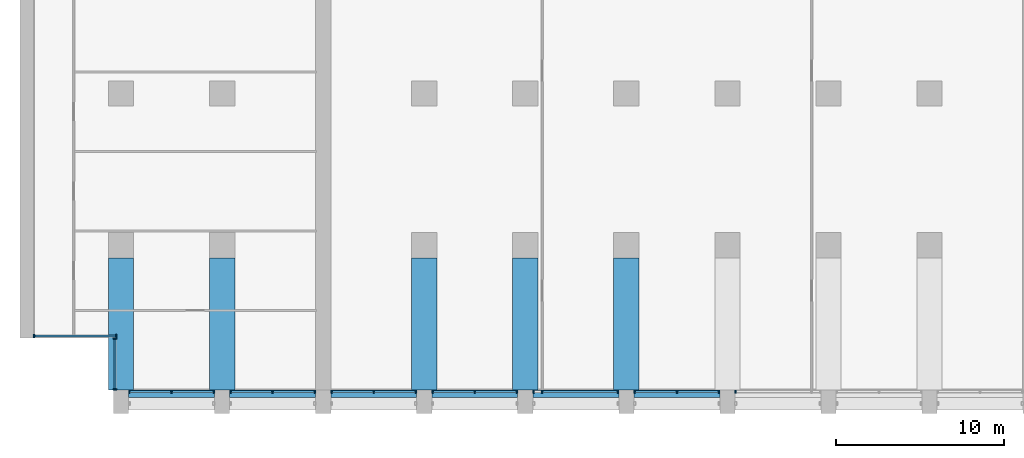
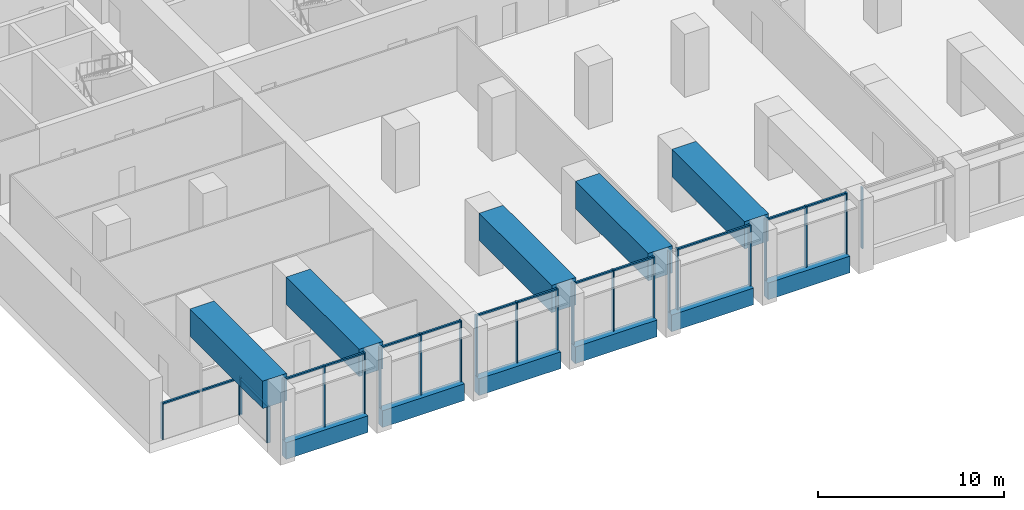
# One storey, part 2 of 18: 36 members, 11 beams, 9 elements without a shape of their own.
"""IFC4 building model written with IfcOpenShell, lengths in metres."""

from ifc_helpers import new_model, si_unit, direction, frame, origin, origin_2d, place, context, subcontext, project, spatial, rectangle, extrude, material, material_profile, profile_set, type_object, element, aggregate, save


model = new_model("IFC4")

# Units and contexts
model_context = context("Model", 3, precision=1e-05, world=origin(), true_north=direction((0.0, 1.0)))
body_context = subcontext(model_context, "Body", "Model", "MODEL_VIEW")
ifc_project = project(units=[si_unit("LENGTHUNIT", "METRE"), si_unit("AREAUNIT", "SQUARE_METRE"), si_unit("VOLUMEUNIT", "CUBIC_METRE"), si_unit("PLANEANGLEUNIT", "RADIAN"), si_unit("MASSUNIT", "GRAM", prefix="KILO")], contexts=[model_context])

# Site, building, storey
site_placement = place(None, origin())
site = spatial("IfcSite", under=ifc_project, at=site_placement, CompositionType="ELEMENT")
building_placement = place(site_placement, origin())
building = spatial("IfcBuilding", under=site, at=building_placement, Name="Calvaro Tower", CompositionType="ELEMENT")
storey_placement = place(building_placement, frame((0.0, 0.0, 90.0)))
storey = spatial("IfcBuildingStorey", under=building, at=storey_placement, Name="L22", CompositionType="ELEMENT", Elevation=90.0)

# Curtain wall, members
ifc_material_1 = material(Name="Anodised aluminium", Category="aluminium")
curtain_wall_type = type_object("IfcCurtainWallType", Name="Louvre wall", PredefinedType="NOTDEFINED", material=ifc_material_1)
curtain_wall_1_placement = place(storey_placement, origin())
curtain_wall_1 = element("IfcCurtainWall", 1, at=curtain_wall_1_placement, inside=storey, type_object=curtain_wall_type, Name="CW8 south louvre wall", PredefinedType="NOTDEFINED")
ifc_material_2 = material(Name="Anodised aluminium", Category="aluminium")
ifc_material_profile_1 = material_profile(ifc_material_2, rectangle(XDim=0.199951171875, YDim=0.080078125, at=origin_2d()), Name="Mullion LV 80 x 200")
ifc_profile_set_1 = profile_set([ifc_material_profile_1], Name="Anodised aluminium")
member_type_1 = type_object("IfcMemberType", Name="Mullion LV 80 x 200", PredefinedType="MULLION", material=ifc_profile_set_1)
member_1_placement = place(storey_placement, frame((6.489990234375, 1.300048828125, 0.0), z_axis=(0.0, 0.0, 1.0), x_axis=(0.0, 1.0, 0.0)))
member_1 = element("IfcMember", 2, at=member_1_placement, type_object=member_type_1, Name="CW8 mullion 1", PredefinedType="MULLION", context=body_context, shape_type="SweptSolid", body=[
    extrude(rectangle(XDim=0.199951171875, YDim=0.080078125, at=origin_2d()), origin(), (0.0, 0.0, 1.0), 4.0),
])
member_2_placement = place(storey_placement, frame((9.0, 1.300048828125, 0.0), z_axis=(0.0, 0.0, 1.0), x_axis=(0.0, 1.0, 0.0)))
member_2 = element("IfcMember", 3, at=member_2_placement, type_object=member_type_1, Name="CW8 mullion 2", PredefinedType="MULLION", context=body_context, shape_type="SweptSolid", body=[
    extrude(rectangle(XDim=0.199951171875, YDim=0.080078125, at=origin_2d()), origin(), (0.0, 0.0, 1.0), 4.0),
])
member_3_placement = place(storey_placement, frame((11.510009765625, 1.300048828125, 0.0), z_axis=(0.0, 0.0, 1.0), x_axis=(0.0, 1.0, 0.0)))
member_3 = element("IfcMember", 4, at=member_3_placement, type_object=member_type_1, Name="CW8 mullion 3", PredefinedType="MULLION", context=body_context, shape_type="SweptSolid", body=[
    extrude(rectangle(XDim=0.199951171875, YDim=0.080078125, at=origin_2d()), origin(), (0.0, 0.0, 1.0), 4.0),
])

curtain_wall_2_placement = place(storey_placement, origin())
curtain_wall_2 = element("IfcCurtainWall", 5, at=curtain_wall_2_placement, inside=storey, type_object=curtain_wall_type, Name="CW8 south louvre wall", PredefinedType="NOTDEFINED")
member_4_placement = place(storey_placement, frame((12.489990234375, 1.300048828125, 0.0), z_axis=(0.0, 0.0, 1.0), x_axis=(0.0, 1.0, 0.0)))
member_4 = element("IfcMember", 6, at=member_4_placement, type_object=member_type_1, Name="CW8 mullion 1", PredefinedType="MULLION", context=body_context, shape_type="SweptSolid", body=[
    extrude(rectangle(XDim=0.199951171875, YDim=0.080078125, at=origin_2d()), origin(), (0.0, 0.0, 1.0), 4.0),
])
member_5_placement = place(storey_placement, frame((15.0, 1.300048828125, 0.0), z_axis=(0.0, 0.0, 1.0), x_axis=(0.0, 1.0, 0.0)))
member_5 = element("IfcMember", 7, at=member_5_placement, type_object=member_type_1, Name="CW8 mullion 2", PredefinedType="MULLION", context=body_context, shape_type="SweptSolid", body=[
    extrude(rectangle(XDim=0.199951171875, YDim=0.080078125, at=origin_2d()), origin(), (0.0, 0.0, 1.0), 4.0),
])
member_6_placement = place(storey_placement, frame((17.510009765625, 1.300048828125, 0.0), z_axis=(0.0, 0.0, 1.0), x_axis=(0.0, 1.0, 0.0)))
member_6 = element("IfcMember", 8, at=member_6_placement, type_object=member_type_1, Name="CW8 mullion 3", PredefinedType="MULLION", context=body_context, shape_type="SweptSolid", body=[
    extrude(rectangle(XDim=0.199951171875, YDim=0.080078125, at=origin_2d()), origin(), (0.0, 0.0, 1.0), 4.0),
])

curtain_wall_3_placement = place(storey_placement, origin())
curtain_wall_3 = element("IfcCurtainWall", 9, at=curtain_wall_3_placement, inside=storey, type_object=curtain_wall_type, Name="CW8 south louvre wall", PredefinedType="NOTDEFINED")
member_7_placement = place(storey_placement, frame((18.489990234375, 1.300048828125, 0.0), z_axis=(0.0, 0.0, 1.0), x_axis=(0.0, 1.0, 0.0)))
member_7 = element("IfcMember", 10, at=member_7_placement, type_object=member_type_1, Name="CW8 mullion 1", PredefinedType="MULLION", context=body_context, shape_type="SweptSolid", body=[
    extrude(rectangle(XDim=0.199951171875, YDim=0.080078125, at=origin_2d()), origin(), (0.0, 0.0, 1.0), 4.0),
])
member_8_placement = place(storey_placement, frame((21.0, 1.300048828125, 0.0), z_axis=(0.0, 0.0, 1.0), x_axis=(0.0, 1.0, 0.0)))
member_8 = element("IfcMember", 11, at=member_8_placement, type_object=member_type_1, Name="CW8 mullion 2", PredefinedType="MULLION", context=body_context, shape_type="SweptSolid", body=[
    extrude(rectangle(XDim=0.199951171875, YDim=0.080078125, at=origin_2d()), origin(), (0.0, 0.0, 1.0), 4.0),
])
member_9_placement = place(storey_placement, frame((23.510009765625, 1.300048828125, 0.0), z_axis=(0.0, 0.0, 1.0), x_axis=(0.0, 1.0, 0.0)))
member_9 = element("IfcMember", 12, at=member_9_placement, type_object=member_type_1, Name="CW8 mullion 3", PredefinedType="MULLION", context=body_context, shape_type="SweptSolid", body=[
    extrude(rectangle(XDim=0.199951171875, YDim=0.080078125, at=origin_2d()), origin(), (0.0, 0.0, 1.0), 4.0),
])

curtain_wall_4_placement = place(storey_placement, origin())
curtain_wall_4 = element("IfcCurtainWall", 13, at=curtain_wall_4_placement, inside=storey, type_object=curtain_wall_type, Name="CW8 south louvre wall", PredefinedType="NOTDEFINED")
member_10_placement = place(storey_placement, frame((24.489990234375, 1.300048828125, 0.0), z_axis=(0.0, 0.0, 1.0), x_axis=(0.0, 1.0, 0.0)))
member_10 = element("IfcMember", 14, at=member_10_placement, type_object=member_type_1, Name="CW8 mullion 1", PredefinedType="MULLION", context=body_context, shape_type="SweptSolid", body=[
    extrude(rectangle(XDim=0.199951171875, YDim=0.080078125, at=origin_2d()), origin(), (0.0, 0.0, 1.0), 4.0),
])
member_11_placement = place(storey_placement, frame((27.0, 1.300048828125, 0.0), z_axis=(0.0, 0.0, 1.0), x_axis=(0.0, 1.0, 0.0)))
member_11 = element("IfcMember", 15, at=member_11_placement, type_object=member_type_1, Name="CW8 mullion 2", PredefinedType="MULLION", context=body_context, shape_type="SweptSolid", body=[
    extrude(rectangle(XDim=0.199951171875, YDim=0.080078125, at=origin_2d()), origin(), (0.0, 0.0, 1.0), 4.0),
])
member_12_placement = place(storey_placement, frame((29.510009765625, 1.300048828125, 0.0), z_axis=(0.0, 0.0, 1.0), x_axis=(0.0, 1.0, 0.0)))
member_12 = element("IfcMember", 16, at=member_12_placement, type_object=member_type_1, Name="CW8 mullion 3", PredefinedType="MULLION", context=body_context, shape_type="SweptSolid", body=[
    extrude(rectangle(XDim=0.199951171875, YDim=0.080078125, at=origin_2d()), origin(), (0.0, 0.0, 1.0), 4.0),
])

curtain_wall_5_placement = place(storey_placement, origin())
curtain_wall_5 = element("IfcCurtainWall", 17, at=curtain_wall_5_placement, inside=storey, type_object=curtain_wall_type, Name="CW8 south louvre wall", PredefinedType="NOTDEFINED")
member_13_placement = place(storey_placement, frame((30.489990234375, 1.300048828125, 0.0), z_axis=(0.0, 0.0, 1.0), x_axis=(0.0, 1.0, 0.0)))
member_13 = element("IfcMember", 18, at=member_13_placement, type_object=member_type_1, Name="CW8 mullion 1", PredefinedType="MULLION", context=body_context, shape_type="SweptSolid", body=[
    extrude(rectangle(XDim=0.199951171875, YDim=0.080078125, at=origin_2d()), origin(), (0.0, 0.0, 1.0), 4.0),
])
member_14_placement = place(storey_placement, frame((31.0, 1.300048828125, 0.0), z_axis=(0.0, 0.0, 1.0), x_axis=(0.0, 1.0, 0.0)))
member_14 = element("IfcMember", 19, at=member_14_placement, type_object=member_type_1, Name="CW8 mullion 2", PredefinedType="MULLION", context=body_context, shape_type="SweptSolid", body=[
    extrude(rectangle(XDim=0.199951171875, YDim=0.080078125, at=origin_2d()), origin(), (0.0, 0.0, 1.0), 4.0),
])
member_15_placement = place(storey_placement, frame((35.510009765625, 1.300048828125, 0.0), z_axis=(0.0, 0.0, 1.0), x_axis=(0.0, 1.0, 0.0)))
member_15 = element("IfcMember", 20, at=member_15_placement, type_object=member_type_1, Name="CW8 mullion 3", PredefinedType="MULLION", context=body_context, shape_type="SweptSolid", body=[
    extrude(rectangle(XDim=0.199951171875, YDim=0.080078125, at=origin_2d()), origin(), (0.0, 0.0, 1.0), 4.0),
])

curtain_wall_6_placement = place(storey_placement, origin())
curtain_wall_6 = element("IfcCurtainWall", 21, at=curtain_wall_6_placement, inside=storey, type_object=curtain_wall_type, Name="CW8 south louvre wall", PredefinedType="NOTDEFINED")
member_16_placement = place(storey_placement, frame((36.489990234375, 1.300048828125, 0.0), z_axis=(0.0, 0.0, 1.0), x_axis=(0.0, 1.0, 0.0)))
member_16 = element("IfcMember", 22, at=member_16_placement, type_object=member_type_1, Name="CW8 mullion 1", PredefinedType="MULLION", context=body_context, shape_type="SweptSolid", body=[
    extrude(rectangle(XDim=0.199951171875, YDim=0.080078125, at=origin_2d()), origin(), (0.0, 0.0, 1.0), 4.0),
])
member_17_placement = place(storey_placement, frame((39.0, 1.300048828125, 0.0), z_axis=(0.0, 0.0, 1.0), x_axis=(0.0, 1.0, 0.0)))
member_17 = element("IfcMember", 23, at=member_17_placement, type_object=member_type_1, Name="CW8 mullion 2", PredefinedType="MULLION", context=body_context, shape_type="SweptSolid", body=[
    extrude(rectangle(XDim=0.199951171875, YDim=0.080078125, at=origin_2d()), origin(), (0.0, 0.0, 1.0), 4.0),
])
member_18_placement = place(storey_placement, frame((41.510009765625, 1.300048828125, 0.0), z_axis=(0.0, 0.0, 1.0), x_axis=(0.0, 1.0, 0.0)))
member_18 = element("IfcMember", 24, at=member_18_placement, type_object=member_type_1, Name="CW8 mullion 3", PredefinedType="MULLION", context=body_context, shape_type="SweptSolid", body=[
    extrude(rectangle(XDim=0.199951171875, YDim=0.080078125, at=origin_2d()), origin(), (0.0, 0.0, 1.0), 4.0),
])

# Curtain wall, member
curtain_wall_7_placement = place(storey_placement, origin())
curtain_wall_7 = element("IfcCurtainWall", 25, at=curtain_wall_7_placement, inside=storey, type_object=curtain_wall_type, Name="CW8 south louvre wall", PredefinedType="NOTDEFINED")
member_19_placement = place(storey_placement, frame((42.489990234375, 1.300048828125, 0.0), z_axis=(0.0, 0.0, 1.0), x_axis=(0.0, 1.0, 0.0)))
member_19 = element("IfcMember", 26, at=member_19_placement, type_object=member_type_1, Name="CW8 mullion 1", PredefinedType="MULLION", context=body_context, shape_type="SweptSolid", body=[
    extrude(rectangle(XDim=0.199951171875, YDim=0.080078125, at=origin_2d()), origin(), (0.0, 0.0, 1.0), 4.0),
])
aggregate(curtain_wall_7, [member_19])

# Curtain wall, members
curtain_wall_8_placement = place(storey_placement, origin())
curtain_wall_8 = element("IfcCurtainWall", 27, at=curtain_wall_8_placement, inside=storey, type_object=curtain_wall_type, Name="CW8 corner curtain wall", PredefinedType="NOTDEFINED")
member_20_placement = place(storey_placement, frame((5.64990234375, 1.43994140625, 0.0), z_axis=(0.0, 0.0, 1.0), x_axis=(-1.0, 0.0, 0.0)))
member_20 = element("IfcMember", 28, at=member_20_placement, type_object=member_type_1, Name="CW8 mullion 1", PredefinedType="MULLION", context=body_context, shape_type="SweptSolid", body=[
    extrude(rectangle(XDim=0.199951171875, YDim=0.080078125, at=origin_2d()), origin(), (0.0, 0.0, 1.0), 2.39892578125),
])
member_21_placement = place(storey_placement, frame((5.64990234375, 4.4599609375, 0.0), z_axis=(0.0, 0.0, 1.0), x_axis=(-1.0, 0.0, 0.0)))
member_21 = element("IfcMember", 29, at=member_21_placement, type_object=member_type_1, Name="CW8 mullion 2", PredefinedType="MULLION", context=body_context, shape_type="SweptSolid", body=[
    extrude(rectangle(XDim=0.199951171875, YDim=0.080078125, at=origin_2d()), origin(), (0.0, 0.0, 1.0), 2.39892578125),
])

curtain_wall_9_placement = place(storey_placement, origin())
curtain_wall_9 = element("IfcCurtainWall", 30, at=curtain_wall_9_placement, inside=storey, type_object=curtain_wall_type, Name="CW8 corner curtain wall", PredefinedType="NOTDEFINED")
member_22_placement = place(storey_placement, frame((0.840087890625, 4.60009765625, 0.0), z_axis=(0.0, 0.0, 1.0), x_axis=(0.0, 1.0, 0.0)))
member_22 = element("IfcMember", 31, at=member_22_placement, type_object=member_type_1, Name="CW8 mullion 1", PredefinedType="MULLION", context=body_context, shape_type="SweptSolid", body=[
    extrude(rectangle(XDim=0.199951171875, YDim=0.080078125, at=origin_2d()), origin(), (0.0, 0.0, 1.0), 2.39892578125),
])
member_23_placement = place(storey_placement, frame((5.7099609375, 4.60009765625, 0.0), z_axis=(0.0, 0.0, 1.0), x_axis=(0.0, 1.0, 0.0)))
member_23 = element("IfcMember", 32, at=member_23_placement, type_object=member_type_1, Name="CW8 mullion 2", PredefinedType="MULLION", context=body_context, shape_type="SweptSolid", body=[
    extrude(rectangle(XDim=0.199951171875, YDim=0.080078125, at=origin_2d()), origin(), (0.0, 0.0, 1.0), 2.39892578125),
])

# Beams
ifc_material_3 = material(Name="Concrete C50/60 precast", Category="concrete")
ifc_material_profile_2 = material_profile(ifc_material_3, rectangle(XDim=0.449951171875, YDim=1.10009765625, at=origin_2d()), Name="RC 450x1100")
ifc_profile_set_2 = profile_set([ifc_material_profile_2], Name="Concrete C50/60 precast")
beam_type_1 = type_object("IfcBeamType", Name="Spandrel beam 450x1100 C50/60", PredefinedType="SPANDREL", material=ifc_profile_set_2)
for number, where, z_axis, x_axis, name in (
    (33, (6.449951171875, 1.175048828125, -0.550048828125), (1.0, 0.0, 0.0), (0.0, 1.0, 0.0), "Spandrel beam"),
    (34, (12.449951171875, 1.175048828125, -0.550048828125), (1.0, 0.0, 0.0), (0.0, 1.0, 0.0), "Spandrel beam"),
    (35, (18.449951171875, 1.175048828125, -0.550048828125), (1.0, 0.0, 0.0), (0.0, 1.0, 0.0), "Spandrel beam"),
    (36, (24.449951171875, 1.175048828125, -0.550048828125), (1.0, 0.0, 0.0), (0.0, 1.0, 0.0), "Spandrel beam"),
    (37, (30.449951171875, 1.175048828125, -0.550048828125), (1.0, 0.0, 0.0), (0.0, 1.0, 0.0), "Spandrel beam"),
    (38, (36.449951171875, 1.175048828125, -0.550048828125), (1.0, 0.0, 0.0), (0.0, 1.0, 0.0), "Spandrel beam"),
):
    element("IfcBeam", number, at=place(storey_placement, frame(where, z_axis=z_axis, x_axis=x_axis)), inside=storey, type_object=beam_type_1, Name=name, PredefinedType="SPANDREL", context=body_context, shape_type="SweptSolid", body=[
        extrude(rectangle(XDim=0.449951171875, YDim=1.10009765625, at=origin_2d()), origin(), (0.0, 0.0, 1.0), 5.10009765625),
    ])
ifc_material_4 = material(Name="Concrete C60/75", Category="concrete")
ifc_material_profile_3 = material_profile(ifc_material_4, rectangle(XDim=1.5, YDim=1.800048828125, at=origin_2d()), Name="RC 1500x1800")
ifc_profile_set_3 = profile_set([ifc_material_profile_3], Name="Concrete C60/75")
beam_type_2 = type_object("IfcBeamType", Name="Transfer girder 1500x1800 C60/75", PredefinedType="BEAM", material=ifc_profile_set_3)
for number, where, z_axis, x_axis, name in (
    (39, (6.0, 1.39990234375, 3.300048828125), (0.0, 1.0, 0.0), (-1.0, 0.0, 0.0), "Transfer girder"),
    (40, (12.0, 1.39990234375, 3.300048828125), (0.0, 1.0, 0.0), (-1.0, 0.0, 0.0), "Transfer girder"),
    (41, (24.0, 1.39990234375, 3.300048828125), (0.0, 1.0, 0.0), (-1.0, 0.0, 0.0), "Transfer girder"),
    (42, (30.0, 1.39990234375, 3.300048828125), (0.0, 1.0, 0.0), (-1.0, 0.0, 0.0), "Transfer girder"),
    (43, (36.0, 1.39990234375, 3.300048828125), (0.0, 1.0, 0.0), (-1.0, 0.0, 0.0), "Transfer girder"),
):
    element("IfcBeam", number, at=place(storey_placement, frame(where, z_axis=z_axis, x_axis=x_axis)), inside=storey, type_object=beam_type_2, Name=name, PredefinedType="BEAM", context=body_context, shape_type="SweptSolid", body=[
        extrude(rectangle(XDim=1.5, YDim=1.800048828125, at=origin_2d()), origin(), (0.0, 0.0, 1.0), 7.85009765625),
    ])

# Member
ifc_material_5 = material(Name="Anodised aluminium", Category="aluminium")
ifc_material_profile_4 = material_profile(ifc_material_5, rectangle(XDim=0.1201171875, YDim=0.10009765625, at=origin_2d()), Name="Transom LV 100 x 120")
ifc_profile_set_4 = profile_set([ifc_material_profile_4], Name="Anodised aluminium")
member_type_2 = type_object("IfcMemberType", Name="Transom LV 100 x 120", PredefinedType="USERDEFINED", material=ifc_profile_set_4)
member_24_placement = place(storey_placement, frame((6.530029296875, 1.300048828125, 3.949951171875), z_axis=(1.0, 0.0, 0.0), x_axis=(0.0, 1.0, 0.0)))
member_24 = element("IfcMember", 44, at=member_24_placement, type_object=member_type_2, Name="CW8 transom 1.1", ObjectType="TRANSOM", PredefinedType="USERDEFINED", context=body_context, shape_type="SweptSolid", body=[
    extrude(rectangle(XDim=0.1201171875, YDim=0.10009765625, at=origin_2d()), origin(), (0.0, 0.0, 1.0), 2.429931640625),
])

member_25_placement = place(storey_placement, frame((9.0400390625, 1.300048828125, 3.949951171875), z_axis=(1.0, 0.0, 0.0), x_axis=(0.0, 1.0, 0.0)))
member_25 = element("IfcMember", 45, at=member_25_placement, type_object=member_type_2, Name="CW8 transom 2.1", ObjectType="TRANSOM", PredefinedType="USERDEFINED", context=body_context, shape_type="SweptSolid", body=[
    extrude(rectangle(XDim=0.1201171875, YDim=0.10009765625, at=origin_2d()), origin(), (0.0, 0.0, 1.0), 2.429931640625),
])

aggregate(curtain_wall_1, [member_1, member_2, member_3, member_24, member_25])

member_26_placement = place(storey_placement, frame((12.530029296875, 1.300048828125, 3.949951171875), z_axis=(1.0, 0.0, 0.0), x_axis=(0.0, 1.0, 0.0)))
member_26 = element("IfcMember", 46, at=member_26_placement, type_object=member_type_2, Name="CW8 transom 1.1", ObjectType="TRANSOM", PredefinedType="USERDEFINED", context=body_context, shape_type="SweptSolid", body=[
    extrude(rectangle(XDim=0.1201171875, YDim=0.10009765625, at=origin_2d()), origin(), (0.0, 0.0, 1.0), 2.429931640625),
])

member_27_placement = place(storey_placement, frame((15.0400390625, 1.300048828125, 3.949951171875), z_axis=(1.0, 0.0, 0.0), x_axis=(0.0, 1.0, 0.0)))
member_27 = element("IfcMember", 47, at=member_27_placement, type_object=member_type_2, Name="CW8 transom 2.1", ObjectType="TRANSOM", PredefinedType="USERDEFINED", context=body_context, shape_type="SweptSolid", body=[
    extrude(rectangle(XDim=0.1201171875, YDim=0.10009765625, at=origin_2d()), origin(), (0.0, 0.0, 1.0), 2.429931640625),
])

aggregate(curtain_wall_2, [member_4, member_5, member_6, member_26, member_27])

member_28_placement = place(storey_placement, frame((18.530029296875, 1.300048828125, 3.949951171875), z_axis=(1.0, 0.0, 0.0), x_axis=(0.0, 1.0, 0.0)))
member_28 = element("IfcMember", 48, at=member_28_placement, type_object=member_type_2, Name="CW8 transom 1.1", ObjectType="TRANSOM", PredefinedType="USERDEFINED", context=body_context, shape_type="SweptSolid", body=[
    extrude(rectangle(XDim=0.1201171875, YDim=0.10009765625, at=origin_2d()), origin(), (0.0, 0.0, 1.0), 2.429931640625),
])

member_29_placement = place(storey_placement, frame((21.0400390625, 1.300048828125, 3.949951171875), z_axis=(1.0, 0.0, 0.0), x_axis=(0.0, 1.0, 0.0)))
member_29 = element("IfcMember", 49, at=member_29_placement, type_object=member_type_2, Name="CW8 transom 2.1", ObjectType="TRANSOM", PredefinedType="USERDEFINED", context=body_context, shape_type="SweptSolid", body=[
    extrude(rectangle(XDim=0.1201171875, YDim=0.10009765625, at=origin_2d()), origin(), (0.0, 0.0, 1.0), 2.429931640625),
])

aggregate(curtain_wall_3, [member_7, member_8, member_9, member_28, member_29])

member_30_placement = place(storey_placement, frame((24.530029296875, 1.300048828125, 3.949951171875), z_axis=(1.0, 0.0, 0.0), x_axis=(0.0, 1.0, 0.0)))
member_30 = element("IfcMember", 50, at=member_30_placement, type_object=member_type_2, Name="CW8 transom 1.1", ObjectType="TRANSOM", PredefinedType="USERDEFINED", context=body_context, shape_type="SweptSolid", body=[
    extrude(rectangle(XDim=0.1201171875, YDim=0.10009765625, at=origin_2d()), origin(), (0.0, 0.0, 1.0), 2.429931640625),
])

member_31_placement = place(storey_placement, frame((27.0400390625, 1.300048828125, 3.949951171875), z_axis=(1.0, 0.0, 0.0), x_axis=(0.0, 1.0, 0.0)))
member_31 = element("IfcMember", 51, at=member_31_placement, type_object=member_type_2, Name="CW8 transom 2.1", ObjectType="TRANSOM", PredefinedType="USERDEFINED", context=body_context, shape_type="SweptSolid", body=[
    extrude(rectangle(XDim=0.1201171875, YDim=0.10009765625, at=origin_2d()), origin(), (0.0, 0.0, 1.0), 2.429931640625),
])

aggregate(curtain_wall_4, [member_10, member_11, member_12, member_30, member_31])

member_32_placement = place(storey_placement, frame((31.0400390625, 1.300048828125, 3.949951171875), z_axis=(1.0, 0.0, 0.0), x_axis=(0.0, 1.0, 0.0)))
member_32 = element("IfcMember", 52, at=member_32_placement, type_object=member_type_2, Name="CW8 transom 2.1", ObjectType="TRANSOM", PredefinedType="USERDEFINED", context=body_context, shape_type="SweptSolid", body=[
    extrude(rectangle(XDim=0.1201171875, YDim=0.10009765625, at=origin_2d()), origin(), (0.0, 0.0, 1.0), 4.429931640625),
])

aggregate(curtain_wall_5, [member_13, member_14, member_15, member_32])

member_33_placement = place(storey_placement, frame((36.530029296875, 1.300048828125, 3.949951171875), z_axis=(1.0, 0.0, 0.0), x_axis=(0.0, 1.0, 0.0)))
member_33 = element("IfcMember", 53, at=member_33_placement, type_object=member_type_2, Name="CW8 transom 1.1", ObjectType="TRANSOM", PredefinedType="USERDEFINED", context=body_context, shape_type="SweptSolid", body=[
    extrude(rectangle(XDim=0.1201171875, YDim=0.10009765625, at=origin_2d()), origin(), (0.0, 0.0, 1.0), 2.429931640625),
])

member_34_placement = place(storey_placement, frame((39.0400390625, 1.300048828125, 3.949951171875), z_axis=(1.0, 0.0, 0.0), x_axis=(0.0, 1.0, 0.0)))
member_34 = element("IfcMember", 54, at=member_34_placement, type_object=member_type_2, Name="CW8 transom 2.1", ObjectType="TRANSOM", PredefinedType="USERDEFINED", context=body_context, shape_type="SweptSolid", body=[
    extrude(rectangle(XDim=0.1201171875, YDim=0.10009765625, at=origin_2d()), origin(), (0.0, 0.0, 1.0), 2.429931640625),
])

aggregate(curtain_wall_6, [member_16, member_17, member_18, member_33, member_34])

member_35_placement = place(storey_placement, frame((5.64990234375, 1.47998046875, 2.34912109375), z_axis=(0.0, 1.0, 0.0), x_axis=(-1.0, 0.0, 0.0)))
member_35 = element("IfcMember", 55, at=member_35_placement, type_object=member_type_2, Name="CW8 transom 1.1", ObjectType="TRANSOM", PredefinedType="USERDEFINED", context=body_context, shape_type="SweptSolid", body=[
    extrude(rectangle(XDim=0.1201171875, YDim=0.10009765625, at=origin_2d()), origin(), (0.0, 0.0, 1.0), 2.93994140625),
])

aggregate(curtain_wall_8, [member_20, member_21, member_35])

member_36_placement = place(storey_placement, frame((0.8798828125, 4.60009765625, 2.34912109375), z_axis=(1.0, 0.0, 0.0), x_axis=(0.0, 1.0, 0.0)))
member_36 = element("IfcMember", 56, at=member_36_placement, type_object=member_type_2, Name="CW8 transom 1.1", ObjectType="TRANSOM", PredefinedType="USERDEFINED", context=body_context, shape_type="SweptSolid", body=[
    extrude(rectangle(XDim=0.1201171875, YDim=0.10009765625, at=origin_2d()), origin(), (0.0, 0.0, 1.0), 4.7900390625),
])

aggregate(curtain_wall_9, [member_22, member_23, member_36])

save(model, "model.ifc")
